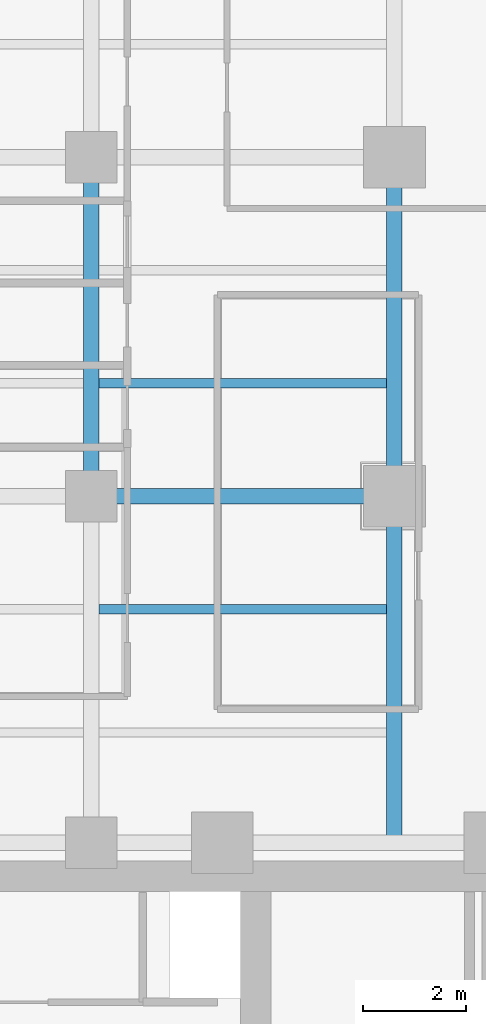
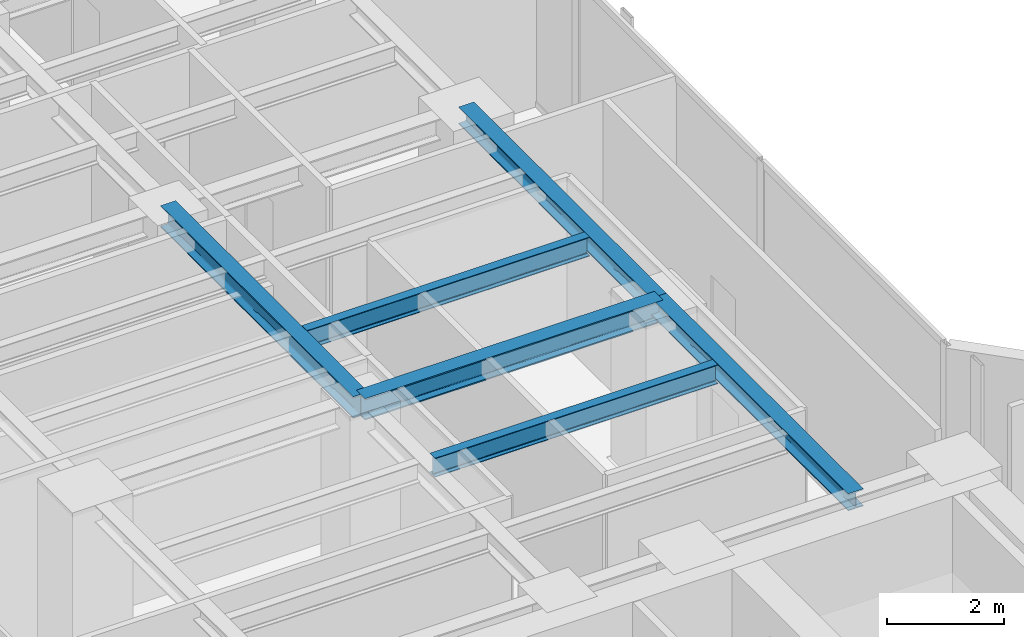
# One storey, part 8 of 24: 6 beams.
"""IFC4 building model written with IfcOpenShell, lengths in metres."""

import ifcopenshell
import ifcopenshell.guid

model = None  # the IFC model being written
_history = None  # IfcOwnerHistory: only IFC2X3 demands one
_inside = {}  # id of a spatial element -> (the spatial element, [elements in it])
_under = {}  # id of a project, library or spatial element -> (it, [spatial elements below it])
_declared = {}  # id of a project -> (the project, [libraries it declares])
_typed = {}  # id of a type object -> (the type object, [elements of that type])
_made_of = {}  # id of a material, layer set ... -> (it, [elements and type objects made of it])


def new_model(schema):
    """Start an empty IFC model of exactly this schema.

    Asked for "IFC4X3", IfcOpenShell would pick the latest addendum, in which some entities
    have other attributes; the version numbers below select the first issue.
    IFC2X3 requires an IfcOwnerHistory on every rooted entity: one is made here for all.
    """
    global model, _history
    if schema == "IFC4X3":
        model = ifcopenshell.file(schema_version=(4, 3, 0, 0))
    else:
        model = ifcopenshell.file(schema=schema)
    _inside.clear()
    _under.clear()
    _declared.clear()
    _typed.clear()
    _made_of.clear()
    _history = None
    if model.schema == "IFC2X3":
        org = make("IfcOrganization", Name="unknown")
        user = make(
            "IfcPersonAndOrganization",
            ThePerson=make("IfcPerson", FamilyName="unknown"),
            TheOrganization=org,
        )
        app = make(
            "IfcApplication",
            ApplicationDeveloper=org,
            Version="unknown",
            ApplicationFullName="unknown",
            ApplicationIdentifier="unknown",
        )
        _history = make(
            "IfcOwnerHistory",
            OwningUser=user,
            OwningApplication=app,
            ChangeAction="ADDED",
            CreationDate=0,
        )
    return model


def make(cls, **values):
    """One entity of the class cls with the attributes given. An attribute that is None is left unset."""
    return model.create_entity(
        cls, **{name: value for name, value in values.items() if value is not None}
    )


def rooted(cls, **values):
    """An entity with a GlobalId (a new one), such as an element, a storey or a relation."""
    return make(cls, GlobalId=ifcopenshell.guid.new(), OwnerHistory=_history, **values)


def si_unit(unit_type, name, prefix=None):
    """IfcSIUnit, for example si_unit("LENGTHUNIT", "METRE", prefix="MILLI")."""
    return make("IfcSIUnit", UnitType=unit_type, Prefix=prefix, Name=name)


def assignment(units):
    """IfcUnitAssignment: the units of a project."""
    return None if units is None else make("IfcUnitAssignment", Units=units)


def point(xyz):
    """IfcCartesianPoint."""
    return None if xyz is None else make("IfcCartesianPoint", Coordinates=xyz)


def direction(xyz):
    """IfcDirection."""
    return None if xyz is None else make("IfcDirection", DirectionRatios=xyz)


def frame(location, z_axis=None, x_axis=None):
    """IfcAxis2Placement3D, a coordinate frame: its origin and axes. An axis left out is left unset."""
    return make(
        "IfcAxis2Placement3D",
        Location=point(location),
        Axis=direction(z_axis),
        RefDirection=direction(x_axis),
    )


def frame_2d(location, x_axis=None):
    """IfcAxis2Placement2D, a coordinate frame in the plane: its origin and x axis."""
    return make(
        "IfcAxis2Placement2D", Location=point(location), RefDirection=direction(x_axis)
    )


def origin():
    """The frame at (0, 0, 0) with its axes left unset."""
    return frame((0.0, 0.0, 0.0))


def origin_2d():
    """The frame at (0, 0) in the plane with its x axis left unset."""
    return frame_2d((0.0, 0.0))


def place(relative_to, where):
    """IfcLocalPlacement: puts the frame where relative to a parent placement (None: the world)."""
    return make(
        "IfcLocalPlacement", PlacementRelTo=relative_to, RelativePlacement=where
    )


def context(
    kind, dimensions, precision=None, world=None, true_north=None, identifier=None
):
    """IfcGeometricRepresentationContext, for example the 3D "Model" context."""
    return make(
        "IfcGeometricRepresentationContext",
        ContextIdentifier=identifier,
        ContextType=kind,
        CoordinateSpaceDimension=dimensions,
        Precision=precision,
        WorldCoordinateSystem=world,
        TrueNorth=true_north,
    )


def subcontext(parent, identifier, kind, view, scale=None):
    """IfcGeometricRepresentationSubContext, for example "Body" below "Model"."""
    return make(
        "IfcGeometricRepresentationSubContext",
        ContextIdentifier=identifier,
        ContextType=kind,
        ParentContext=parent,
        TargetScale=scale,
        TargetView=view,
    )


def project(units=None, contexts=None):
    """IfcProject with its units and contexts."""
    return rooted(
        "IfcProject",
        Name="project",
        RepresentationContexts=contexts,
        UnitsInContext=assignment(units),
    )


def spatial(cls, under=None, at=None, **own):
    """A site, building, storey or space (cls), placed at a placement, below another one or the project."""
    s = rooted(cls, ObjectPlacement=at, **own)
    if under is not None:
        _under.setdefault(under.id(), (under, []))[1].append(s)
    return s


def profile(cls, at=None, kind="AREA", **sizes):
    """A parametric profile (cls). Its sizes go by their IFC names, for example OverallWidth=200.0."""
    return make(cls, ProfileType=kind, Position=at, **sizes)


def i_section(**sizes):
    """IfcIShapeProfileDef."""
    return profile("IfcIShapeProfileDef", **sizes)


def extrude(swept, where, along, depth):
    """IfcExtrudedAreaSolid: the profile swept, set in the frame where, extruded along a direction by depth."""
    return make(
        "IfcExtrudedAreaSolid",
        SweptArea=swept,
        Position=where,
        ExtrudedDirection=direction(along),
        Depth=depth,
    )


def shape(context_of_items, identifier, shape_type, items):
    """IfcShapeRepresentation: the items that make up one representation, for example the "Body"."""
    return make(
        "IfcShapeRepresentation",
        ContextOfItems=context_of_items,
        RepresentationIdentifier=identifier,
        RepresentationType=shape_type,
        Items=items,
    )


def material(Name=None, Category=None):
    """IfcMaterial."""
    return make("IfcMaterial", Name=Name, Category=Category)


def material_profile(
    of_material, cross_section, Name=None, Category=None, Priority=None
):
    """IfcMaterialProfile: a cross section and its material."""
    return make(
        "IfcMaterialProfile",
        Name=Name,
        Material=of_material,
        Profile=cross_section,
        Priority=Priority,
        Category=Category,
    )


def profile_set(profiles, Name=None, composite=None):
    """IfcMaterialProfileSet."""
    return make(
        "IfcMaterialProfileSet",
        Name=Name,
        MaterialProfiles=profiles,
        CompositeProfile=composite,
    )


def made_of(thing, what):
    """Note that an element or type object is made of a material, layer set ...; save() writes the relation."""
    if what is not None:
        _made_of.setdefault(what.id(), (what, []))[1].append(thing)
    return thing


def type_object(cls, material=None, **own):
    """A type object (cls), such as IfcWallType, which elements share."""
    return made_of(rooted(cls, **own), material)


def element(
    cls,
    number,
    at=None,
    inside=None,
    cuts=None,
    type_object=None,
    material=None,
    context=None,
    identifier="Body",
    shape_type=None,
    held_by="IfcProductDefinitionShape",
    body=None,
    shapes=None,
    **own,
):
    """One element of the class cls, such as IfcWall. Its Tag is "e" and its number.

    at: its placement. inside: the storey or other place that contains it. cuts: it is an
    opening in that element (IfcRelVoidsElement). A single representation is given by context,
    identifier, shape_type and body (its items); several are given by shapes. held_by: the class
    of the entity that holds the representations. save() writes the other relations.
    """
    e = rooted(cls, Tag="e%d" % number, ObjectPlacement=at, **own)
    if body is not None:
        shapes = [shape(context, identifier, shape_type, body)]
    if shapes is not None:
        e.Representation = make(held_by, Representations=shapes)
    if inside is not None:
        _inside.setdefault(inside.id(), (inside, []))[1].append(e)
    if cuts is not None:
        rooted(
            "IfcRelVoidsElement", RelatingBuildingElement=cuts, RelatedOpeningElement=e
        )
    if type_object is not None:
        _typed.setdefault(type_object.id(), (type_object, []))[1].append(e)
    return made_of(e, material)


def aggregate(whole, parts):
    """IfcRelAggregates: a whole, such as a stair, and the parts it consists of."""
    return rooted("IfcRelAggregates", RelatingObject=whole, RelatedObjects=parts)


def save(model, path):
    """Write the relations noted so far, then the file.

    IfcRelAggregates (storeys below a building ...), IfcRelContainedInSpatialStructure (elements
    in a storey), IfcRelDefinesByType, IfcRelAssociatesMaterial and IfcRelDeclares: one each for
    every whole, place, type object, material and project.
    """
    for whole, parts in _under.values():
        aggregate(whole, parts)
    for where, things in _inside.values():
        rooted(
            "IfcRelContainedInSpatialStructure",
            RelatedElements=things,
            RelatingStructure=where,
        )
    for kind, things in _typed.values():
        rooted("IfcRelDefinesByType", RelatedObjects=things, RelatingType=kind)
    for what, things in _made_of.values():
        rooted("IfcRelAssociatesMaterial", RelatedObjects=things, RelatingMaterial=what)
    for by, libraries in _declared.values():
        rooted("IfcRelDeclares", RelatingContext=by, RelatedDefinitions=libraries)
    model.write(path)


model = new_model("IFC4")

# Units and contexts
model_context = context("Model", 3, precision=1e-05, world=origin(), true_north=direction((0.0, 1.0)))
body_context = subcontext(model_context, "Body", "Model", "MODEL_VIEW")
ifc_project = project(units=[si_unit("LENGTHUNIT", "METRE"), si_unit("AREAUNIT", "SQUARE_METRE"), si_unit("VOLUMEUNIT", "CUBIC_METRE"), si_unit("PLANEANGLEUNIT", "RADIAN"), si_unit("MASSUNIT", "GRAM", prefix="KILO")], contexts=[model_context])

# Site, building, storey
site_placement = place(None, origin())
site = spatial("IfcSite", under=ifc_project, at=site_placement, CompositionType="ELEMENT")
building_placement = place(site_placement, origin())
building = spatial("IfcBuilding", under=site, at=building_placement, Name="Kolvaren Waterfront Exchange", CompositionType="ELEMENT")
storey_placement = place(building_placement, frame((0.0, 0.0, 153.800048828125)))
storey = spatial("IfcBuildingStorey", under=building, at=storey_placement, Name="L39", CompositionType="ELEMENT", Elevation=153.800048828125)

# Beams
ifc_material = material(Name="Steel S355", Category="steel")
ifc_material_profile_1 = material_profile(ifc_material, i_section(OverallWidth=0.300048828125, OverallDepth=0.360107421875, WebThickness=0.012451171875, FlangeThickness=0.0224609375, FilletRadius=0.027099609375, at=origin_2d()), Name="HEB360")
ifc_profile_set_1 = profile_set([ifc_material_profile_1], Name="Steel S355")
beam_type_1 = type_object("IfcBeamType", Name="STR-BM-HEB360", PredefinedType="SPANDREL", material=ifc_profile_set_1)
beam_1_placement = place(storey_placement, frame((18.800048828125, 24.449951171875, 3.3798828125), z_axis=(0.0, 1.0, 0.0), x_axis=(-1.0, 0.0, 0.0)))
element("IfcBeam", 1, at=beam_1_placement, inside=storey, type_object=beam_type_1, Name="L39 north-arm edge beam 1", PredefinedType="SPANDREL", context=body_context, shape_type="SweptSolid", body=[
    extrude(i_section(OverallWidth=0.300048828125, OverallDepth=0.360107421875, WebThickness=0.012451171875, FlangeThickness=0.0224609375, FilletRadius=0.027099609375, at=origin_2d()), origin(), (0.0, 0.0, 1.0), 6.75),
])
beam_2_placement = place(storey_placement, frame((18.800048828125, 31.199951171875, 3.3798828125), z_axis=(0.0, 1.0, 0.0), x_axis=(-1.0, 0.0, 0.0)))
element("IfcBeam", 2, at=beam_2_placement, inside=storey, type_object=beam_type_1, Name="L39 north-arm edge beam 2", PredefinedType="SPANDREL", context=body_context, shape_type="SweptSolid", body=[
    extrude(i_section(OverallWidth=0.300048828125, OverallDepth=0.360107421875, WebThickness=0.012451171875, FlangeThickness=0.0224609375, FilletRadius=0.027099609375, at=origin_2d()), origin(), (0.0, 0.0, 1.0), 6.60009765625),
])
ifc_material_profile_2 = material_profile(ifc_material, i_section(OverallWidth=0.300048828125, OverallDepth=0.449951171875, WebThickness=0.013916015625, FlangeThickness=0.02587890625, FilletRadius=0.027099609375, at=origin_2d()), Name="HEB450")
ifc_profile_set_2 = profile_set([ifc_material_profile_2], Name="Steel S355")
beam_type_2 = type_object("IfcBeamType", Name="STR-BM-HEB450", PredefinedType="BEAM", material=ifc_profile_set_2)
beam_3_placement = place(storey_placement, frame((12.89990234375, 31.199951171875, 3.3349609375), z_axis=(1.0, 0.0, 0.0), x_axis=(0.0, 1.0, 0.0)))
element("IfcBeam", 3, at=beam_3_placement, inside=storey, type_object=beam_type_2, Name="L39 north-arm girder 2B", PredefinedType="BEAM", context=body_context, shape_type="SweptSolid", body=[
    extrude(i_section(OverallWidth=0.300048828125, OverallDepth=0.449951171875, WebThickness=0.013916015625, FlangeThickness=0.02587890625, FilletRadius=0.027099609375, at=origin_2d()), origin(), (0.0, 0.0, 1.0), 5.900146484375),
])
beam_4_placement = place(storey_placement, frame((12.89990234375, 31.199951171875, 3.3349609375), z_axis=(0.0, 1.0, 0.0), x_axis=(-1.0, 0.0, 0.0)))
element("IfcBeam", 4, at=beam_4_placement, inside=storey, type_object=beam_type_2, Name="L39 north-arm edge beam 2", PredefinedType="BEAM", context=body_context, shape_type="SweptSolid", body=[
    extrude(i_section(OverallWidth=0.300048828125, OverallDepth=0.449951171875, WebThickness=0.013916015625, FlangeThickness=0.02587890625, FilletRadius=0.027099609375, at=origin_2d()), origin(), (0.0, 0.0, 1.0), 6.60009765625),
])
ifc_material_profile_3 = material_profile(ifc_material, i_section(OverallWidth=0.179931640625, OverallDepth=0.39990234375, WebThickness=0.008544921875, FlangeThickness=0.013427734375, FilletRadius=0.02099609375, at=origin_2d()), Name="IPE400")
ifc_profile_set_3 = profile_set([ifc_material_profile_3], Name="Steel S355")
beam_type_3 = type_object("IfcBeamType", Name="STR-BM-IPE400", PredefinedType="JOIST", material=ifc_profile_set_3)
for number, where, z_axis, x_axis, name in (
    (5, (13.052001953125, 29.0, 3.35986328125), (1.0, 0.0, 0.0), (0.0, 1.0, 0.0), "L39 north-arm composite joist 2B"),
    (6, (13.052001953125, 33.39990234375, 3.35986328125), (1.0, 0.0, 0.0), (0.0, 1.0, 0.0), "L39 north-arm composite joist 3B"),
):
    element("IfcBeam", number, at=place(storey_placement, frame(where, z_axis=z_axis, x_axis=x_axis)), inside=storey, type_object=beam_type_3, Name=name, PredefinedType="JOIST", context=body_context, shape_type="SweptSolid", body=[
        extrude(i_section(OverallWidth=0.179931640625, OverallDepth=0.39990234375, WebThickness=0.008544921875, FlangeThickness=0.013427734375, FilletRadius=0.02099609375, at=origin_2d()), origin(), (0.0, 0.0, 1.0), 5.595947265625),
    ])

save(model, "model.ifc")
